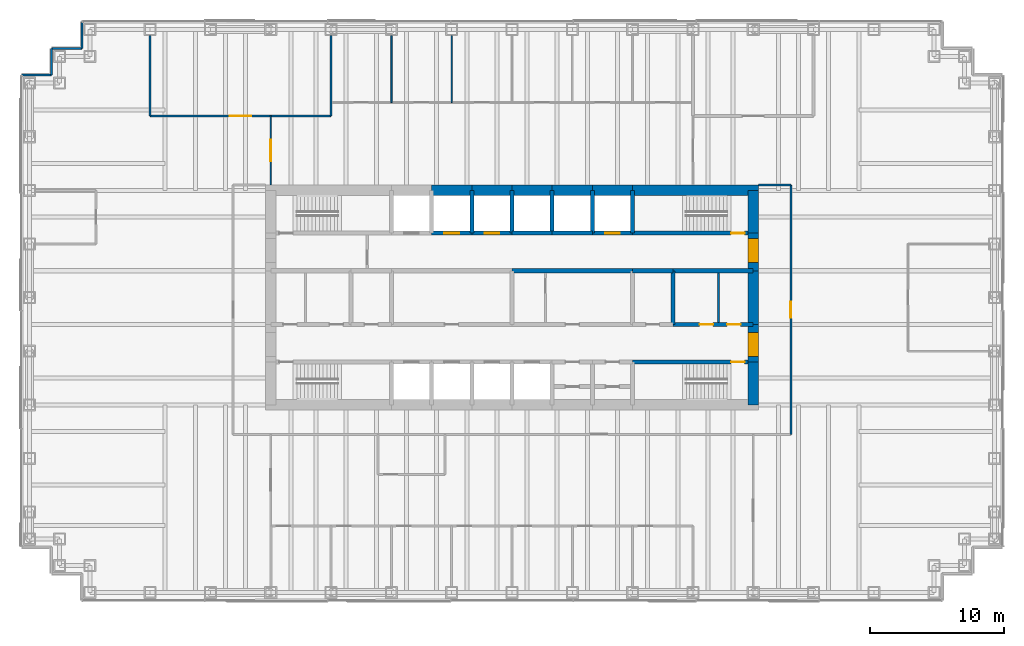
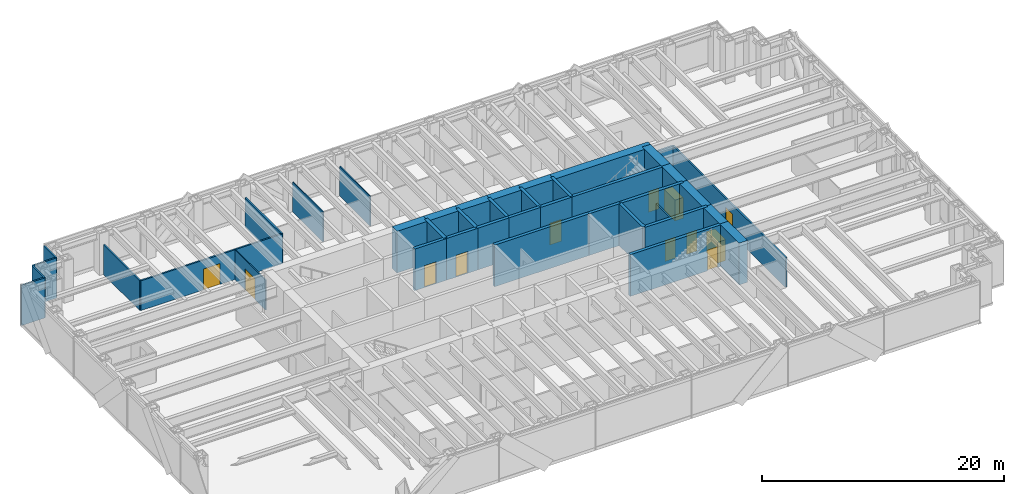
# One storey, part 12 of 14: 41 walls, 12 doors, 12 openings.
"""IFC4 building model written with IfcOpenShell, lengths in metres."""

from ifc_helpers import new_model, si_unit, direction, frame, frame_2d, origin, place, context, subcontext, project, spatial, rectangle, extrude, material, layer, layer_set, type_object, element, fill, save


model = new_model("IFC4")

# Units and contexts
model_context = context("Model", 3, precision=1e-05, world=origin(), true_north=direction((0.0, 1.0)))
body_context = subcontext(model_context, "Body", "Model", "MODEL_VIEW")
ifc_project = project(units=[si_unit("LENGTHUNIT", "METRE"), si_unit("AREAUNIT", "SQUARE_METRE"), si_unit("VOLUMEUNIT", "CUBIC_METRE"), si_unit("PLANEANGLEUNIT", "RADIAN"), si_unit("MASSUNIT", "GRAM", prefix="KILO")], contexts=[model_context])

# Site, building, storey
site_placement = place(None, origin())
site = spatial("IfcSite", under=ifc_project, at=site_placement, CompositionType="ELEMENT")
building_placement = place(site_placement, origin())
building = spatial("IfcBuilding", under=site, at=building_placement, Name="Rheinbord Bourse Tower", CompositionType="ELEMENT")
storey_placement = place(building_placement, frame((0.0, 0.0, 194.199951171875)))
storey = spatial("IfcBuildingStorey", under=building, at=storey_placement, Name="L43", CompositionType="ELEMENT", Elevation=194.199951171875)

# Wall, opening, door
ifc_material_1 = material(Name="Concrete C50/60", Category="concrete")
ifc_layer_1 = layer(ifc_material_1, 0.300048828125)
ifc_layer_set_1 = layer_set([ifc_layer_1], Name="CORE INNER WALL 300")
wall_type_1 = type_object("IfcWallType", Name="CORE INNER WALL 300", PredefinedType="SOLIDWALL", material=ifc_layer_set_1)
wall_1_placement = place(storey_placement, frame((45.0, 19.199951171875, 0.0), z_axis=(0.0, 0.0, 1.0), x_axis=(1.0, 0.0, 0.0)))
wall_1 = element("IfcWall", 1, at=wall_1_placement, inside=storey, type_object=wall_type_1, Name="Core wall A8 L43", PredefinedType="SOLIDWALL", context=body_context, shape_type="SweptSolid", body=[
    extrude(rectangle(XDim=9.0, YDim=0.300048828125, at=frame_2d((4.5, 0.0))), origin(), (0.0, 0.0, 1.0), 4.199951171875),
])
opening_1_placement = place(wall_1_placement, frame((7.35009765625, 0.0, 0.0)))
opening_1 = element("IfcOpeningElement", 2, at=opening_1_placement, cuts=wall_1, Name="Opening 4330", PredefinedType="OPENING", context=body_context, shape_type="SweptSolid", body=[
    extrude(rectangle(XDim=1.0, YDim=2.10009765625, at=frame_2d((0.5, 1.050048828125))), frame((0.0, 0.159912109375, 0.0), z_axis=(0.0, -1.0, 0.0), x_axis=(1.0, 0.0, 0.0)), (0.0, 0.0, 1.0), 0.320068359375),
])
ifc_material_2 = material(Name="Steel door", Category="steel")
door_type_1 = type_object("IfcDoorType", Name="DOOR 1000 EI30", OperationType="SINGLE_SWING_LEFT", PredefinedType="DOOR", material=ifc_material_2)
door_1_placement = place(opening_1_placement, origin())
door_1 = element("IfcDoor", 3, at=door_1_placement, inside=storey, type_object=door_type_1, Name="Stair door ST3 L43", OperationType="SINGLE_SWING_RIGHT", OverallHeight=2.10009765625, OverallWidth=1.0, PredefinedType="DOOR", context=body_context, shape_type="SweptSolid", body=[
    extrude(rectangle(XDim=1.0, YDim=2.10009765625, at=frame_2d((0.5, 1.050048828125))), frame((0.0, 0.02490234375, 0.0), z_axis=(0.0, -1.0, 0.0), x_axis=(1.0, 0.0, 0.0)), (0.0, 0.0, 1.0), 0.050048828125),
])
fill(opening_1, door_1)

wall_2_placement = place(storey_placement, frame((30.0, 28.800048828125, 0.0), z_axis=(0.0, 0.0, 1.0), x_axis=(1.0, 0.0, 0.0)))
wall_2 = element("IfcWall", 4, at=wall_2_placement, inside=storey, type_object=wall_type_1, Name="Core wall B3 L43", PredefinedType="SOLIDWALL", context=body_context, shape_type="SweptSolid", body=[
    extrude(rectangle(XDim=3.0, YDim=0.300048828125, at=frame_2d((1.5, 0.0))), origin(), (0.0, 0.0, 1.0), 4.199951171875),
])
opening_2_placement = place(wall_2_placement, frame((0.949951171875, 0.0, 0.0)))
opening_2 = element("IfcOpeningElement", 5, at=opening_2_placement, cuts=wall_2, Name="Opening PC4", PredefinedType="OPENING", context=body_context, shape_type="SweptSolid", body=[
    extrude(rectangle(XDim=1.10009765625, YDim=2.199951171875, at=frame_2d((0.550048828125, 1.10009765625))), frame((0.0, 0.159912109375, 0.0), z_axis=(0.0, -1.0, 0.0), x_axis=(1.0, 0.0, 0.0)), (0.0, 0.0, 1.0), 0.320068359375),
])
ifc_material_3 = material(Name="Steel landing door", Category="steel")
door_type_2 = type_object("IfcDoorType", Name="LIFT LANDING DOOR 1100", OperationType="DOUBLE_DOOR_SLIDING", PredefinedType="USERDEFINED", material=ifc_material_3)
door_2_placement = place(opening_2_placement, origin())
door_2 = element("IfcDoor", 6, at=door_2_placement, inside=storey, type_object=door_type_2, Name="Lift landing door PC4 L43", ObjectType="LIFT LANDING DOOR", OperationType="DOUBLE_DOOR_SLIDING", OverallHeight=2.199951171875, OverallWidth=1.10009765625, PredefinedType="USERDEFINED", context=body_context, shape_type="SweptSolid", body=[
    extrude(rectangle(XDim=1.10009765625, YDim=2.199951171875, at=frame_2d((0.550048828125, 1.10009765625))), frame((0.0, 0.02490234375, 0.0), z_axis=(0.0, -1.0, 0.0), x_axis=(1.0, 0.0, 0.0)), (0.0, 0.0, 1.0), 0.050048828125),
])
fill(opening_2, door_2)

wall_3_placement = place(storey_placement, frame((33.0, 28.800048828125, 0.0), z_axis=(0.0, 0.0, 1.0), x_axis=(1.0, 0.0, 0.0)))
wall_3 = element("IfcWall", 7, at=wall_3_placement, inside=storey, type_object=wall_type_1, Name="Core wall B4 L43", PredefinedType="SOLIDWALL", context=body_context, shape_type="SweptSolid", body=[
    extrude(rectangle(XDim=3.0, YDim=0.300048828125, at=frame_2d((1.5, 0.0))), origin(), (0.0, 0.0, 1.0), 4.199951171875),
])
opening_3_placement = place(wall_3_placement, frame((0.949951171875, 0.0, 0.0)))
opening_3 = element("IfcOpeningElement", 8, at=opening_3_placement, cuts=wall_3, Name="Opening PC5", PredefinedType="OPENING", context=body_context, shape_type="SweptSolid", body=[
    extrude(rectangle(XDim=1.10009765625, YDim=2.199951171875, at=frame_2d((0.550048828125, 1.10009765625))), frame((0.0, 0.159912109375, 0.0), z_axis=(0.0, -1.0, 0.0), x_axis=(1.0, 0.0, 0.0)), (0.0, 0.0, 1.0), 0.320068359375),
])
door_3_placement = place(opening_3_placement, origin())
door_3 = element("IfcDoor", 9, at=door_3_placement, inside=storey, type_object=door_type_2, Name="Lift landing door PC5 L43", ObjectType="LIFT LANDING DOOR", OperationType="DOUBLE_DOOR_SLIDING", OverallHeight=2.199951171875, OverallWidth=1.10009765625, PredefinedType="USERDEFINED", context=body_context, shape_type="SweptSolid", body=[
    extrude(rectangle(XDim=1.10009765625, YDim=2.199951171875, at=frame_2d((0.550048828125, 1.10009765625))), frame((0.0, 0.02490234375, 0.0), z_axis=(0.0, -1.0, 0.0), x_axis=(1.0, 0.0, 0.0)), (0.0, 0.0, 1.0), 0.050048828125),
])
fill(opening_3, door_3)

# Walls
for number, where, z_axis, x_axis, name in (
    (10, (36.0, 28.800048828125, 0.0), (0.0, 0.0, 1.0), (1.0, 0.0, 0.0), "Core wall B5 L43"),
    (11, (39.0, 28.800048828125, 0.0), (0.0, 0.0, 1.0), (1.0, 0.0, 0.0), "Core wall B6 L43"),
):
    element("IfcWall", number, at=place(storey_placement, frame(where, z_axis=z_axis, x_axis=x_axis)), inside=storey, type_object=wall_type_1, Name=name, PredefinedType="SOLIDWALL", context=body_context, shape_type="SweptSolid", body=[
        extrude(rectangle(XDim=3.0, YDim=0.300048828125, at=frame_2d((1.5, 0.0))), origin(), (0.0, 0.0, 1.0), 4.199951171875),
    ])

# Wall, opening, door
wall_4_placement = place(storey_placement, frame((42.0, 28.800048828125, 0.0), z_axis=(0.0, 0.0, 1.0), x_axis=(1.0, 0.0, 0.0)))
wall_4 = element("IfcWall", 12, at=wall_4_placement, inside=storey, type_object=wall_type_1, Name="Core wall B7 L43", PredefinedType="SOLIDWALL", context=body_context, shape_type="SweptSolid", body=[
    extrude(rectangle(XDim=3.0, YDim=0.300048828125, at=frame_2d((1.5, 0.0))), origin(), (0.0, 0.0, 1.0), 4.199951171875),
])
opening_4_placement = place(wall_4_placement, frame((0.949951171875, 0.0, 0.0)))
opening_4 = element("IfcOpeningElement", 13, at=opening_4_placement, cuts=wall_4, Name="Opening FL2", PredefinedType="OPENING", context=body_context, shape_type="SweptSolid", body=[
    extrude(rectangle(XDim=1.10009765625, YDim=2.199951171875, at=frame_2d((0.550048828125, 1.10009765625))), frame((0.0, 0.159912109375, 0.0), z_axis=(0.0, -1.0, 0.0), x_axis=(1.0, 0.0, 0.0)), (0.0, 0.0, 1.0), 0.320068359375),
])
door_4_placement = place(opening_4_placement, origin())
door_4 = element("IfcDoor", 14, at=door_4_placement, inside=storey, type_object=door_type_2, Name="Lift landing door FL2 L43", ObjectType="LIFT LANDING DOOR", OperationType="DOUBLE_DOOR_SLIDING", OverallHeight=2.199951171875, OverallWidth=1.10009765625, PredefinedType="USERDEFINED", context=body_context, shape_type="SweptSolid", body=[
    extrude(rectangle(XDim=1.10009765625, YDim=2.199951171875, at=frame_2d((0.550048828125, 1.10009765625))), frame((0.0, 0.02490234375, 0.0), z_axis=(0.0, -1.0, 0.0), x_axis=(1.0, 0.0, 0.0)), (0.0, 0.0, 1.0), 0.050048828125),
])
fill(opening_4, door_4)

wall_5_placement = place(storey_placement, frame((45.0, 28.800048828125, 0.0), z_axis=(0.0, 0.0, 1.0), x_axis=(1.0, 0.0, 0.0)))
wall_5 = element("IfcWall", 15, at=wall_5_placement, inside=storey, type_object=wall_type_1, Name="Core wall B8 L43", PredefinedType="SOLIDWALL", context=body_context, shape_type="SweptSolid", body=[
    extrude(rectangle(XDim=9.0, YDim=0.300048828125, at=frame_2d((4.5, 0.0))), origin(), (0.0, 0.0, 1.0), 4.199951171875),
])
opening_5_placement = place(wall_5_placement, frame((7.35009765625, 0.0, 0.0)))
opening_5 = element("IfcOpeningElement", 16, at=opening_5_placement, cuts=wall_5, Name="Opening 4340", PredefinedType="OPENING", context=body_context, shape_type="SweptSolid", body=[
    extrude(rectangle(XDim=1.0, YDim=2.10009765625, at=frame_2d((0.5, 1.050048828125))), frame((0.0, 0.159912109375, 0.0), z_axis=(0.0, -1.0, 0.0), x_axis=(1.0, 0.0, 0.0)), (0.0, 0.0, 1.0), 0.320068359375),
])
door_5_placement = place(opening_5_placement, origin())
door_5 = element("IfcDoor", 17, at=door_5_placement, inside=storey, type_object=door_type_1, Name="Stair door ST4 L43", OperationType="SINGLE_SWING_RIGHT", OverallHeight=2.10009765625, OverallWidth=1.0, PredefinedType="DOOR", context=body_context, shape_type="SweptSolid", body=[
    extrude(rectangle(XDim=1.0, YDim=2.10009765625, at=frame_2d((0.5, 1.050048828125))), frame((0.0, 0.02490234375, 0.0), z_axis=(0.0, -1.0, 0.0), x_axis=(1.0, 0.0, 0.0)), (0.0, 0.0, 1.0), 0.050048828125),
])
fill(opening_5, door_5)

# Wall, openings, doors
wall_6_placement = place(storey_placement, frame((48.0, 22.0, 0.0), z_axis=(0.0, 0.0, 1.0), x_axis=(1.0, 0.0, 0.0)))
wall_6 = element("IfcWall", 18, at=wall_6_placement, inside=storey, type_object=wall_type_1, Name="Core wall C6 L43", PredefinedType="SOLIDWALL", context=body_context, shape_type="SweptSolid", body=[
    extrude(rectangle(XDim=6.0, YDim=0.300048828125, at=frame_2d((3.0, 0.0))), origin(), (0.0, 0.0, 1.0), 4.199951171875),
])
opening_6_placement = place(wall_6_placement, frame((2.0, 0.0, 0.0)))
opening_6 = element("IfcOpeningElement", 19, at=opening_6_placement, cuts=wall_6, Name="Opening 43R6", PredefinedType="OPENING", context=body_context, shape_type="SweptSolid", body=[
    extrude(rectangle(XDim=1.0, YDim=2.10009765625, at=frame_2d((0.5, 1.050048828125))), frame((0.0, 0.159912109375, 0.0), z_axis=(0.0, -1.0, 0.0), x_axis=(1.0, 0.0, 0.0)), (0.0, 0.0, 1.0), 0.320068359375),
])
opening_7_placement = place(wall_6_placement, frame((4.050048828125, 0.0, 0.0)))
opening_7 = element("IfcOpeningElement", 20, at=opening_7_placement, cuts=wall_6, Name="Opening 43R10", PredefinedType="OPENING", context=body_context, shape_type="SweptSolid", body=[
    extrude(rectangle(XDim=1.0, YDim=2.10009765625, at=frame_2d((0.5, 1.050048828125))), frame((0.0, 0.159912109375, 0.0), z_axis=(0.0, -1.0, 0.0), x_axis=(1.0, 0.0, 0.0)), (0.0, 0.0, 1.0), 0.320068359375),
])
door_6_placement = place(opening_7_placement, origin())
door_6 = element("IfcDoor", 21, at=door_6_placement, inside=storey, type_object=door_type_1, Name="Cleaner's store door L43", OperationType="SINGLE_SWING_RIGHT", OverallHeight=2.10009765625, OverallWidth=1.0, PredefinedType="DOOR", context=body_context, shape_type="SweptSolid", body=[
    extrude(rectangle(XDim=1.0, YDim=2.10009765625, at=frame_2d((0.5, 1.050048828125))), frame((0.0, 0.02490234375, 0.0), z_axis=(0.0, -1.0, 0.0), x_axis=(1.0, 0.0, 0.0)), (0.0, 0.0, 1.0), 0.050048828125),
])
fill(opening_7, door_6)
ifc_material_4 = material(Name="Timber door", Category="wood")
door_type_3 = type_object("IfcDoorType", Name="DOOR 1000 WC", OperationType="SINGLE_SWING_LEFT", PredefinedType="DOOR", material=ifc_material_4)
door_7_placement = place(opening_6_placement, origin())
door_7 = element("IfcDoor", 22, at=door_7_placement, inside=storey, type_object=door_type_3, Name="WC women door L43", OperationType="SINGLE_SWING_LEFT", OverallHeight=2.10009765625, OverallWidth=1.0, PredefinedType="DOOR", context=body_context, shape_type="SweptSolid", body=[
    extrude(rectangle(XDim=1.0, YDim=2.10009765625, at=frame_2d((0.5, 1.050048828125))), frame((0.0, 0.02490234375, 0.0), z_axis=(0.0, -1.0, 0.0), x_axis=(1.0, 0.0, 0.0)), (0.0, 0.0, 1.0), 0.050048828125),
])
fill(opening_6, door_7)

# Walls
wall_7_placement = place(storey_placement, frame((36.0, 26.0, 0.0), z_axis=(0.0, 0.0, 1.0), x_axis=(1.0, 0.0, 0.0)))
element("IfcWall", 23, at=wall_7_placement, inside=storey, type_object=wall_type_1, Name="Core wall D4 L43", PredefinedType="SOLIDWALL", context=body_context, shape_type="SweptSolid", body=[
    extrude(rectangle(XDim=9.0, YDim=0.300048828125, at=frame_2d((4.5, 0.0))), origin(), (0.0, 0.0, 1.0), 4.199951171875),
])
wall_8_placement = place(storey_placement, frame((45.0, 26.0, 0.0), z_axis=(0.0, 0.0, 1.0), x_axis=(1.0, 0.0, 0.0)))
element("IfcWall", 24, at=wall_8_placement, inside=storey, type_object=wall_type_1, Name="Core wall D5 L43", PredefinedType="SOLIDWALL", context=body_context, shape_type="SweptSolid", body=[
    extrude(rectangle(XDim=3.0, YDim=0.300048828125, at=frame_2d((1.5, 0.0))), origin(), (0.0, 0.0, 1.0), 4.199951171875),
])
wall_9_placement = place(storey_placement, frame((48.0, 26.0, 0.0), z_axis=(0.0, 0.0, 1.0), x_axis=(1.0, 0.0, 0.0)))
element("IfcWall", 25, at=wall_9_placement, inside=storey, type_object=wall_type_1, Name="Core wall D6 L43", PredefinedType="SOLIDWALL", context=body_context, shape_type="SweptSolid", body=[
    extrude(rectangle(XDim=6.0, YDim=0.300048828125, at=frame_2d((3.0, 0.0))), origin(), (0.0, 0.0, 1.0), 4.199951171875),
])
for number, where, z_axis, x_axis, name in (
    (26, (33.0, 28.800048828125, 0.0), (0.0, 0.0, 1.0), (0.0, 1.0, 0.0), "Core wall NX33 L43"),
    (27, (36.0, 28.800048828125, 0.0), (0.0, 0.0, 1.0), (0.0, 1.0, 0.0), "Core wall NX36 L43"),
    (28, (39.0, 28.800048828125, 0.0), (0.0, 0.0, 1.0), (0.0, 1.0, 0.0), "Core wall NX39 L43"),
    (29, (42.0, 28.800048828125, 0.0), (0.0, 0.0, 1.0), (0.0, 1.0, 0.0), "Core wall NX42 L43"),
    (30, (45.0, 28.800048828125, 0.0), (0.0, 0.0, 1.0), (0.0, 1.0, 0.0), "Core wall NX45 L43"),
):
    element("IfcWall", number, at=place(storey_placement, frame(where, z_axis=z_axis, x_axis=x_axis)), inside=storey, type_object=wall_type_1, Name=name, PredefinedType="SOLIDWALL", context=body_context, shape_type="SweptSolid", body=[
        extrude(rectangle(XDim=3.199951171875, YDim=0.300048828125, at=frame_2d((1.60009765625, 0.0))), origin(), (0.0, 0.0, 1.0), 4.199951171875),
    ])
wall_10_placement = place(storey_placement, frame((48.0, 22.0, 0.0), z_axis=(0.0, 0.0, 1.0), x_axis=(0.0, 1.0, 0.0)))
element("IfcWall", 31, at=wall_10_placement, inside=storey, type_object=wall_type_1, Name="Core wall MX48 L43", PredefinedType="SOLIDWALL", context=body_context, shape_type="SweptSolid", body=[
    extrude(rectangle(XDim=4.0, YDim=0.300048828125, at=frame_2d((2.0, 0.0))), origin(), (0.0, 0.0, 1.0), 4.199951171875),
])
ifc_material_5 = material(Name="Gypsum board fire partition", Category="gypsum board")
ifc_layer_2 = layer(ifc_material_5, 0.14990234375)
ifc_layer_set_2 = layer_set([ifc_layer_2], Name="CORE PARTITION 150 EI30")
wall_type_2 = type_object("IfcWallType", Name="CORE PARTITION 150 EI30", PredefinedType="PARTITIONING", material=ifc_layer_set_2)
wall_11_placement = place(storey_placement, frame((51.425048828125, 22.14990234375, 0.0), z_axis=(0.0, 0.0, 1.0), x_axis=(0.0, 1.0, 0.0)))
element("IfcWall", 32, at=wall_11_placement, inside=storey, type_object=wall_type_2, Name="Core partition L43-3", PredefinedType="PARTITIONING", context=body_context, shape_type="SweptSolid", body=[
    extrude(rectangle(XDim=3.7001953125, YDim=0.14990234375, at=frame_2d((1.85009765625, 0.0))), origin(), (0.0, 0.0, 1.0), 3.0),
])
ifc_material_6 = material(Name="Concrete C50/60", Category="concrete")
ifc_layer_3 = layer(ifc_material_6, 0.800048828125)
ifc_layer_set_3 = layer_set([ifc_layer_3], Name="CORE WALL 800")
wall_type_3 = type_object("IfcWallType", Name="CORE WALL 800", PredefinedType="SHEAR", material=ifc_layer_set_3)
wall_12_placement = place(storey_placement, frame((54.39990234375, 32.0, 0.0), z_axis=(0.0, 0.0, 1.0), x_axis=(-1.0, 0.0, 0.0)))
element("IfcWall", 33, at=wall_12_placement, inside=storey, type_object=wall_type_3, Name="Core wall N1 L43", PredefinedType="SHEAR", context=body_context, shape_type="SweptSolid", body=[
    extrude(rectangle(XDim=9.39990234375, YDim=0.800048828125, at=frame_2d((4.699951171875, 0.0))), origin(), (0.0, 0.0, 1.0), 4.199951171875),
])
for number, where, z_axis, x_axis, name in (
    (34, (45.0, 32.0, 0.0), (0.0, 0.0, 1.0), (-1.0, 0.0, 0.0), "Core wall N2 L43"),
    (35, (42.0, 32.0, 0.0), (0.0, 0.0, 1.0), (-1.0, 0.0, 0.0), "Core wall N3 L43"),
    (36, (39.0, 32.0, 0.0), (0.0, 0.0, 1.0), (-1.0, 0.0, 0.0), "Core wall N4 L43"),
    (37, (36.0, 32.0, 0.0), (0.0, 0.0, 1.0), (-1.0, 0.0, 0.0), "Core wall N5 L43"),
    (38, (33.0, 32.0, 0.0), (0.0, 0.0, 1.0), (-1.0, 0.0, 0.0), "Core wall N6 L43"),
):
    element("IfcWall", number, at=place(storey_placement, frame(where, z_axis=z_axis, x_axis=x_axis)), inside=storey, type_object=wall_type_3, Name=name, PredefinedType="SHEAR", context=body_context, shape_type="SweptSolid", body=[
        extrude(rectangle(XDim=3.0, YDim=0.800048828125, at=frame_2d((1.5, 0.0))), origin(), (0.0, 0.0, 1.0), 4.199951171875),
    ])
wall_13_placement = place(storey_placement, frame((54.0, 16.0, 0.0), z_axis=(0.0, 0.0, 1.0), x_axis=(0.0, 1.0, 0.0)))
element("IfcWall", 39, at=wall_13_placement, inside=storey, type_object=wall_type_3, Name="Core wall E1 L43", PredefinedType="SHEAR", context=body_context, shape_type="SweptSolid", body=[
    extrude(rectangle(XDim=3.199951171875, YDim=0.800048828125, at=frame_2d((1.60009765625, 0.0))), origin(), (0.0, 0.0, 1.0), 4.199951171875),
])

# Wall, opening, door
wall_14_placement = place(storey_placement, frame((54.0, 19.199951171875, 0.0), z_axis=(0.0, 0.0, 1.0), x_axis=(0.0, 1.0, 0.0)))
wall_14 = element("IfcWall", 40, at=wall_14_placement, inside=storey, type_object=wall_type_3, Name="Core wall E2 L43", PredefinedType="SHEAR", context=body_context, shape_type="SweptSolid", body=[
    extrude(rectangle(XDim=2.800048828125, YDim=0.800048828125, at=frame_2d((1.39990234375, 0.0))), origin(), (0.0, 0.0, 1.0), 4.199951171875),
])
opening_8_placement = place(wall_14_placement, frame((0.39990234375, 0.0, 0.0)))
opening_8 = element("IfcOpeningElement", 41, at=opening_8_placement, cuts=wall_14, Name="Opening 43L3", PredefinedType="OPENING", context=body_context, shape_type="SweptSolid", body=[
    extrude(rectangle(XDim=1.800048828125, YDim=2.10009765625, at=frame_2d((0.89990234375, 1.050048828125))), frame((0.0, 0.409912109375, 0.0), z_axis=(0.0, -1.0, 0.0), x_axis=(1.0, 0.0, 0.0)), (0.0, 0.0, 1.0), 0.820068359375),
])
ifc_material_7 = material(Name="Steel door", Category="steel")
door_type_4 = type_object("IfcDoorType", Name="DOOR 1800 EI30 DOUBLE", OperationType="DOUBLE_DOOR_DOUBLE_SWING", PredefinedType="DOOR", material=ifc_material_7)
door_8_placement = place(opening_8_placement, origin())
door_8 = element("IfcDoor", 42, at=door_8_placement, inside=storey, type_object=door_type_4, Name="Lobby door 3 L43", OperationType="SINGLE_SWING_LEFT", OverallHeight=2.10009765625, OverallWidth=1.800048828125, PredefinedType="DOOR", context=body_context, shape_type="SweptSolid", body=[
    extrude(rectangle(XDim=1.800048828125, YDim=2.10009765625, at=frame_2d((0.89990234375, 1.050048828125))), frame((0.0, 0.39990234375, 0.0), z_axis=(0.0, -1.0, 0.0), x_axis=(1.0, 0.0, 0.0)), (0.0, 0.0, 1.0), 0.799560546875),
])
fill(opening_8, door_8)

# Wall
wall_15_placement = place(storey_placement, frame((54.0, 22.0, 0.0), z_axis=(0.0, 0.0, 1.0), x_axis=(0.0, 1.0, 0.0)))
element("IfcWall", 43, at=wall_15_placement, inside=storey, type_object=wall_type_3, Name="Core wall E3 L43", PredefinedType="SHEAR", context=body_context, shape_type="SweptSolid", body=[
    extrude(rectangle(XDim=4.0, YDim=0.800048828125, at=frame_2d((2.0, 0.0))), origin(), (0.0, 0.0, 1.0), 4.199951171875),
])

# Wall, opening, door
wall_16_placement = place(storey_placement, frame((54.0, 26.0, 0.0), z_axis=(0.0, 0.0, 1.0), x_axis=(0.0, 1.0, 0.0)))
wall_16 = element("IfcWall", 44, at=wall_16_placement, inside=storey, type_object=wall_type_3, Name="Core wall E4 L43", PredefinedType="SHEAR", context=body_context, shape_type="SweptSolid", body=[
    extrude(rectangle(XDim=2.800048828125, YDim=0.800048828125, at=frame_2d((1.39990234375, 0.0))), origin(), (0.0, 0.0, 1.0), 4.199951171875),
])
opening_9_placement = place(wall_16_placement, frame((0.60009765625, 0.0, 0.0)))
opening_9 = element("IfcOpeningElement", 45, at=opening_9_placement, cuts=wall_16, Name="Opening 43L4", PredefinedType="OPENING", context=body_context, shape_type="SweptSolid", body=[
    extrude(rectangle(XDim=1.800048828125, YDim=2.10009765625, at=frame_2d((0.89990234375, 1.050048828125))), frame((0.0, 0.409912109375, 0.0), z_axis=(0.0, -1.0, 0.0), x_axis=(1.0, 0.0, 0.0)), (0.0, 0.0, 1.0), 0.820068359375),
])
door_9_placement = place(opening_9_placement, origin())
door_9 = element("IfcDoor", 46, at=door_9_placement, inside=storey, type_object=door_type_4, Name="Lobby door 4 L43", OperationType="SINGLE_SWING_LEFT", OverallHeight=2.10009765625, OverallWidth=1.800048828125, PredefinedType="DOOR", context=body_context, shape_type="SweptSolid", body=[
    extrude(rectangle(XDim=1.800048828125, YDim=2.10009765625, at=frame_2d((0.89990234375, 1.050048828125))), frame((0.0, 0.39990234375, 0.0), z_axis=(0.0, -1.0, 0.0), x_axis=(1.0, 0.0, 0.0)), (0.0, 0.0, 1.0), 0.799560546875),
])
fill(opening_9, door_9)

# Walls
wall_17_placement = place(storey_placement, frame((54.0, 28.800048828125, 0.0), z_axis=(0.0, 0.0, 1.0), x_axis=(0.0, 1.0, 0.0)))
element("IfcWall", 47, at=wall_17_placement, inside=storey, type_object=wall_type_3, Name="Core wall E5 L43", PredefinedType="SHEAR", context=body_context, shape_type="SweptSolid", body=[
    extrude(rectangle(XDim=3.199951171875, YDim=0.800048828125, at=frame_2d((1.60009765625, 0.0))), origin(), (0.0, 0.0, 1.0), 4.199951171875),
])
ifc_material_8 = material(Name="Black metal rainscreen panel", Category="aluminium")
ifc_layer_4 = layer(ifc_material_8, 0.14990234375)
ifc_layer_set_4 = layer_set([ifc_layer_4], Name="CORNER PIER CLADDING 150")
wall_type_4 = type_object("IfcWallType", Name="CORNER PIER CLADDING 150", PredefinedType="ELEMENTEDWALL", material=ifc_layer_set_4)
wall_18_placement = place(storey_placement, frame((3.89990234375, 44.60009765625, 0.0), z_axis=(0.0, 0.0, 1.0), x_axis=(0.0, -1.0, 0.0)))
element("IfcWall", 48, at=wall_18_placement, inside=storey, type_object=wall_type_4, Name="Corner pier cladding L43 12", PredefinedType="ELEMENTEDWALL", context=body_context, shape_type="SweptSolid", body=[
    extrude(rectangle(XDim=2.0, YDim=0.14990234375, at=frame_2d((1.0, 0.0))), origin(), (0.0, 0.0, 1.0), 4.0400390625),
])
wall_19_placement = place(storey_placement, frame((3.89990234375, 42.60009765625, 0.0), z_axis=(0.0, 0.0, 1.0), x_axis=(-1.0, 0.0, 0.0)))
element("IfcWall", 49, at=wall_19_placement, inside=storey, type_object=wall_type_4, Name="Corner pier cladding L43 13", PredefinedType="ELEMENTEDWALL", context=body_context, shape_type="SweptSolid", body=[
    extrude(rectangle(XDim=2.25, YDim=0.14990234375, at=frame_2d((1.125, 0.0))), origin(), (0.0, 0.0, 1.0), 4.0400390625),
])
wall_20_placement = place(storey_placement, frame((1.64990234375, 42.60009765625, 0.0), z_axis=(0.0, 0.0, 1.0), x_axis=(0.0, -1.0, 0.0)))
element("IfcWall", 50, at=wall_20_placement, inside=storey, type_object=wall_type_4, Name="Corner pier cladding L43 14", PredefinedType="ELEMENTEDWALL", context=body_context, shape_type="SweptSolid", body=[
    extrude(rectangle(XDim=2.0, YDim=0.14990234375, at=frame_2d((1.0, 0.0))), origin(), (0.0, 0.0, 1.0), 4.0400390625),
])
wall_21_placement = place(storey_placement, frame((1.64990234375, 40.60009765625, 0.0), z_axis=(0.0, 0.0, 1.0), x_axis=(-1.0, 0.0, 0.0)))
element("IfcWall", 51, at=wall_21_placement, inside=storey, type_object=wall_type_4, Name="Corner pier cladding L43 15", PredefinedType="ELEMENTEDWALL", context=body_context, shape_type="SweptSolid", body=[
    extrude(rectangle(XDim=2.25, YDim=0.14990234375, at=frame_2d((1.125, 0.0))), origin(), (0.0, 0.0, 1.0), 4.0400390625),
])
ifc_material_9 = material(Name="Gypsum board corridor partition", Category="gypsum board")
ifc_layer_5 = layer(ifc_material_9, 0.14990234375)
ifc_layer_set_5 = layer_set([ifc_layer_5], Name="CORRIDOR PARTITION 150 EI30")
wall_type_5 = type_object("IfcWallType", Name="CORRIDOR PARTITION 150 EI30", PredefinedType="PARTITIONING", material=ifc_layer_set_5)
wall_22_placement = place(storey_placement, frame((54.39990234375, 32.39990234375, 0.0), z_axis=(0.0, 0.0, 1.0), x_axis=(1.0, 0.0, 0.0)))
element("IfcWall", 52, at=wall_22_placement, inside=storey, type_object=wall_type_5, Name="Partition L43-11", PredefinedType="PARTITIONING", context=body_context, shape_type="SweptSolid", body=[
    extrude(rectangle(XDim=2.400146484375, YDim=0.14990234375, at=frame_2d((1.2001953125, 0.0))), origin(), (0.0, 0.0, 1.0), 3.0),
])

# Wall, opening, door
wall_23_placement = place(storey_placement, frame((56.800048828125, 13.800048828125, 0.0), z_axis=(0.0, 0.0, 1.0), x_axis=(0.0, 1.0, 0.0)))
wall_23 = element("IfcWall", 53, at=wall_23_placement, inside=storey, type_object=wall_type_5, Name="Partition L43-39", PredefinedType="PARTITIONING", context=body_context, shape_type="SweptSolid", body=[
    extrude(rectangle(XDim=18.599853515625, YDim=0.14990234375, at=frame_2d((9.2998046875, 0.0))), origin(), (0.0, 0.0, 1.0), 3.0),
])
opening_10_placement = place(wall_23_placement, frame((8.699951171875, 0.0, 0.0)))
opening_10 = element("IfcOpeningElement", 54, at=opening_10_placement, cuts=wall_23, Name="Opening 43D24", PredefinedType="OPENING", context=body_context, shape_type="SweptSolid", body=[
    extrude(rectangle(XDim=1.199951171875, YDim=2.10009765625, at=frame_2d((0.60009765625, 1.050048828125))), frame((0.0, 0.0849609375, 0.0), z_axis=(0.0, -1.0, 0.0), x_axis=(1.0, 0.0, 0.0)), (0.0, 0.0, 1.0), 0.169921875),
])
ifc_material_10 = material(Name="Timber fire door", Category="wood")
door_type_5 = type_object("IfcDoorType", Name="SUITE ENTRANCE DOOR 1200 EI30", OperationType="SINGLE_SWING_LEFT", PredefinedType="DOOR", material=ifc_material_10)
door_10_placement = place(opening_10_placement, origin())
door_10 = element("IfcDoor", 55, at=door_10_placement, inside=storey, type_object=door_type_5, Name="Suite entrance 2 door L43", OperationType="SINGLE_SWING_LEFT", OverallHeight=2.10009765625, OverallWidth=1.199951171875, PredefinedType="DOOR", context=body_context, shape_type="SweptSolid", body=[
    extrude(rectangle(XDim=1.199951171875, YDim=2.10009765625, at=frame_2d((0.60009765625, 1.050048828125))), frame((0.0, 0.02490234375, 0.0), z_axis=(0.0, -1.0, 0.0), x_axis=(1.0, 0.0, 0.0)), (0.0, 0.0, 1.0), 0.050048828125),
])
fill(opening_10, door_10)

ifc_material_11 = material(Name="Toughened laminated glass partition", Category="glass")
ifc_layer_6 = layer(ifc_material_11, 0.10009765625)
ifc_layer_set_6 = layer_set([ifc_layer_6], Name="GLAZED PARTITION 100")
wall_type_6 = type_object("IfcWallType", Name="GLAZED PARTITION 100", PredefinedType="PARTITIONING", material=ifc_layer_set_6)
wall_24_placement = place(storey_placement, frame((18.0, 32.39990234375, 0.0), z_axis=(0.0, 0.0, 1.0), x_axis=(0.0, 1.0, 0.0)))
wall_24 = element("IfcWall", 56, at=wall_24_placement, inside=storey, type_object=wall_type_6, Name="Partition L43-20", PredefinedType="PARTITIONING", context=body_context, shape_type="SweptSolid", body=[
    extrude(rectangle(XDim=5.150146484375, YDim=0.10009765625, at=frame_2d((2.5751953125, 0.0))), origin(), (0.0, 0.0, 1.0), 3.0),
])
opening_11_placement = place(wall_24_placement, frame((1.77490234375, 0.0, 0.0)))
opening_11 = element("IfcOpeningElement", 57, at=opening_11_placement, cuts=wall_24, Name="Opening 43D20", PredefinedType="OPENING", context=body_context, shape_type="SweptSolid", body=[
    extrude(rectangle(XDim=1.60009765625, YDim=2.10009765625, at=frame_2d((0.800048828125, 1.050048828125))), frame((0.0, 0.06005859375, 0.0), z_axis=(0.0, -1.0, 0.0), x_axis=(1.0, 0.0, 0.0)), (0.0, 0.0, 1.0), 0.1201171875),
])
ifc_material_12 = material(Name="Timber door", Category="wood")
door_type_6 = type_object("IfcDoorType", Name="DOUBLE ROOM DOOR 1600", OperationType="DOUBLE_DOOR_DOUBLE_SWING", PredefinedType="DOOR", material=ifc_material_12)
door_11_placement = place(opening_11_placement, origin())
door_11 = element("IfcDoor", 58, at=door_11_placement, inside=storey, type_object=door_type_6, Name="Open area door L43", OperationType="SINGLE_SWING_LEFT", OverallHeight=2.10009765625, OverallWidth=1.60009765625, PredefinedType="DOOR", context=body_context, shape_type="SweptSolid", body=[
    extrude(rectangle(XDim=1.60009765625, YDim=2.10009765625, at=frame_2d((0.800048828125, 1.050048828125))), frame((0.0, 0.02490234375, 0.0), z_axis=(0.0, -1.0, 0.0), x_axis=(1.0, 0.0, 0.0)), (0.0, 0.0, 1.0), 0.050048828125),
])
fill(opening_11, door_11)

# Walls
for number, where, z_axis, x_axis, name in (
    (59, (27.0, 38.550048828125, 0.0), (0.0, 0.0, 1.0), (0.0, 1.0, 0.0), "Partition L43-25"),
    (60, (31.5, 38.550048828125, 0.0), (0.0, 0.0, 1.0), (0.0, 1.0, 0.0), "Partition L43-28"),
):
    element("IfcWall", number, at=place(storey_placement, frame(where, z_axis=z_axis, x_axis=x_axis)), inside=storey, type_object=wall_type_6, Name=name, PredefinedType="PARTITIONING", context=body_context, shape_type="SweptSolid", body=[
        extrude(rectangle(XDim=5.0, YDim=0.10009765625, at=frame_2d((2.5, 0.0))), origin(), (0.0, 0.0, 1.0), 3.0),
    ])

# Wall, opening, door
ifc_material_13 = material(Name="Gypsum board partition", Category="gypsum board")
ifc_layer_7 = layer(ifc_material_13, 0.14990234375)
ifc_layer_set_7 = layer_set([ifc_layer_7], Name="PARTITION 150")
wall_type_7 = type_object("IfcWallType", Name="PARTITION 150", PredefinedType="PARTITIONING", material=ifc_layer_set_7)
wall_25_placement = place(storey_placement, frame((9.0, 37.550048828125, 0.0), z_axis=(0.0, 0.0, 1.0), x_axis=(1.0, 0.0, 0.0)))
wall_25 = element("IfcWall", 61, at=wall_25_placement, inside=storey, type_object=wall_type_7, Name="Partition L43-12", PredefinedType="PARTITIONING", context=body_context, shape_type="SweptSolid", body=[
    extrude(rectangle(XDim=13.5, YDim=0.14990234375, at=frame_2d((6.75, 0.0))), origin(), (0.0, 0.0, 1.0), 3.0),
])
opening_12_placement = place(wall_25_placement, frame((5.949951171875, 0.0, 0.0)))
opening_12 = element("IfcOpeningElement", 62, at=opening_12_placement, cuts=wall_25, Name="Opening 43D12", PredefinedType="OPENING", context=body_context, shape_type="SweptSolid", body=[
    extrude(rectangle(XDim=1.60009765625, YDim=2.10009765625, at=frame_2d((0.800048828125, 1.050048828125))), frame((0.0, 0.0849609375, 0.0), z_axis=(0.0, -1.0, 0.0), x_axis=(1.0, 0.0, 0.0)), (0.0, 0.0, 1.0), 0.169921875),
])
door_12_placement = place(opening_12_placement, origin())
door_12 = element("IfcDoor", 63, at=door_12_placement, inside=storey, type_object=door_type_6, Name="Client lounge door L43", OperationType="SINGLE_SWING_LEFT", OverallHeight=2.10009765625, OverallWidth=1.60009765625, PredefinedType="DOOR", context=body_context, shape_type="SweptSolid", body=[
    extrude(rectangle(XDim=1.60009765625, YDim=2.10009765625, at=frame_2d((0.800048828125, 1.050048828125))), frame((0.0, 0.02490234375, 0.0), z_axis=(0.0, -1.0, 0.0), x_axis=(1.0, 0.0, 0.0)), (0.0, 0.0, 1.0), 0.050048828125),
])
fill(opening_12, door_12)

# Walls
for number, where, z_axis, x_axis, name in (
    (64, (9.0, 37.550048828125, 0.0), (0.0, 0.0, 1.0), (0.0, 1.0, 0.0), "Partition L43-16"),
    (65, (22.5, 37.550048828125, 0.0), (0.0, 0.0, 1.0), (0.0, 1.0, 0.0), "Partition L43-22"),
):
    element("IfcWall", number, at=place(storey_placement, frame(where, z_axis=z_axis, x_axis=x_axis)), inside=storey, type_object=wall_type_7, Name=name, PredefinedType="PARTITIONING", context=body_context, shape_type="SweptSolid", body=[
        extrude(rectangle(XDim=6.0, YDim=0.14990234375, at=frame_2d((3.0, 0.0))), origin(), (0.0, 0.0, 1.0), 3.0),
    ])

save(model, "model.ifc")
